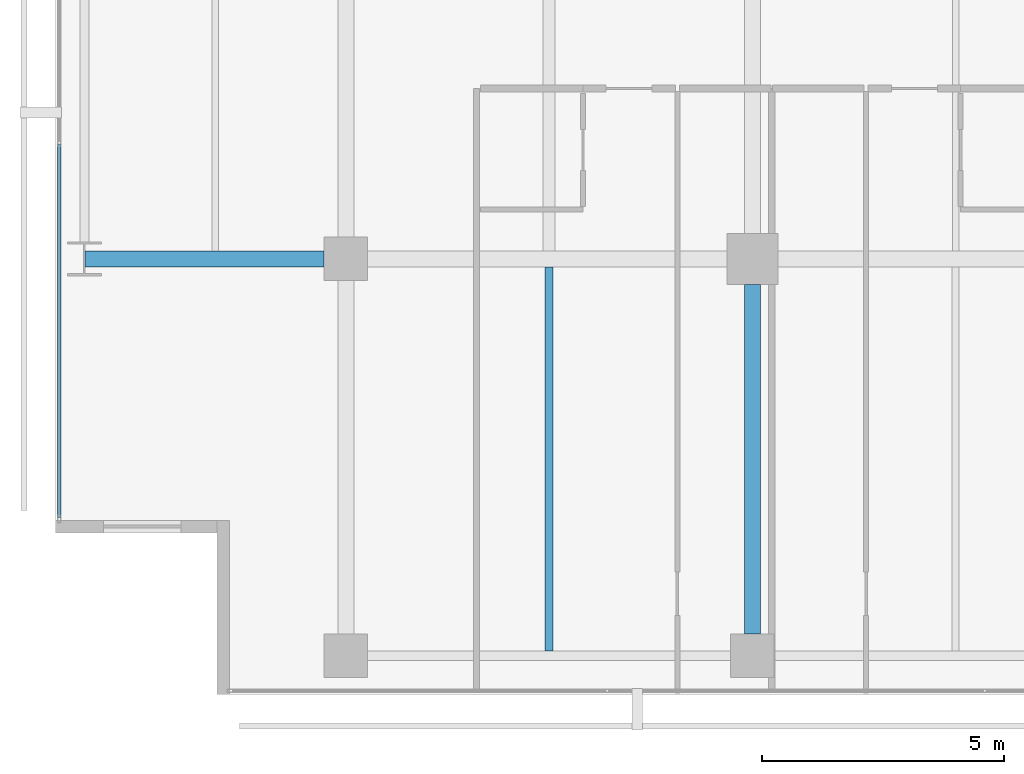
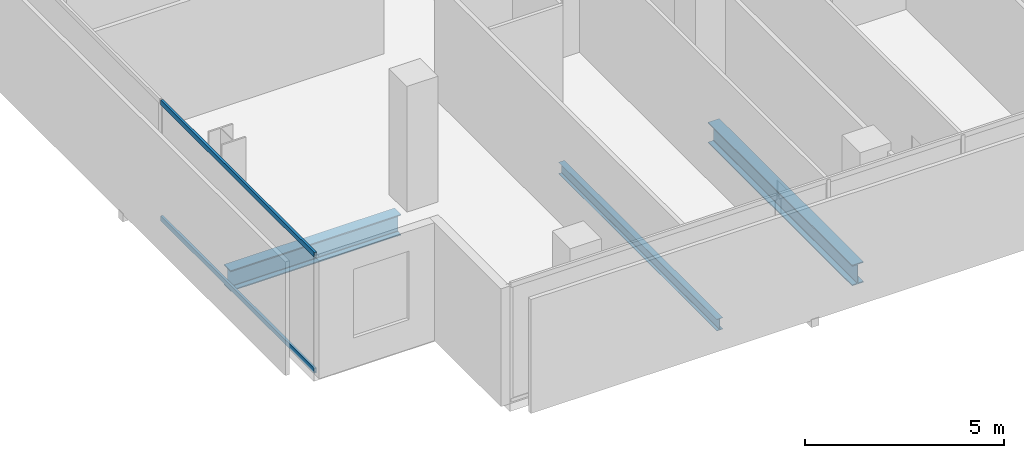
# One storey, part 4 of 40: 3 beams, 2 members, 1 element without a shape of its own.
"""IFC4 building model written with IfcOpenShell, lengths in metres."""

from ifc_helpers import new_model, si_unit, direction, frame, origin, origin_2d, place, context, subcontext, project, spatial, hollow_rectangle, i_section, extrude, material, layer, layer_set, material_profile, profile_set, type_object, element, aggregate, save


model = new_model("IFC4")

# Units and contexts
model_context = context("Model", 3, precision=1e-05, world=origin(), true_north=direction((0.0, 1.0)))
body_context = subcontext(model_context, "Body", "Model", "MODEL_VIEW")
ifc_project = project(units=[si_unit("LENGTHUNIT", "METRE"), si_unit("AREAUNIT", "SQUARE_METRE"), si_unit("VOLUMEUNIT", "CUBIC_METRE"), si_unit("PLANEANGLEUNIT", "RADIAN"), si_unit("MASSUNIT", "GRAM", prefix="KILO")], contexts=[model_context])

# Site, building, storey
site_placement = place(None, origin())
site = spatial("IfcSite", under=ifc_project, at=site_placement, CompositionType="ELEMENT")
building_placement = place(site_placement, origin())
building = spatial("IfcBuilding", under=site, at=building_placement, Name="Maruvema Waterfront Hotel and Observation Tower", CompositionType="ELEMENT")
storey_placement = place(building_placement, frame((0.0, 0.0, 34.64990234375)))
storey = spatial("IfcBuildingStorey", under=building, at=storey_placement, Name="L07", CompositionType="ELEMENT", Elevation=34.64990234375)

# Curtain wall, members
ifc_material_1 = material(Name="Anodised bronze aluminium and solar-control low-E IGU", Category="aluminium")
ifc_layer = layer(ifc_material_1, 0.159912109375, Name="Zone 1 Bronze Inner Thermal Curtain Wall System CW-02")
ifc_layer_set = layer_set([ifc_layer], Name="Anodised bronze aluminium and solar-control low-E IGU")
curtain_wall_type = type_object("IfcCurtainWallType", Name="Zone 1 Bronze Inner Thermal Curtain Wall System CW-02", PredefinedType="USERDEFINED", material=ifc_layer_set)
curtain_wall_placement = place(storey_placement, origin())
curtain_wall = element("IfcCurtainWall", 1, at=curtain_wall_placement, inside=storey, type_object=curtain_wall_type, Name="L07 Curtain Wall CW-L07-W", ObjectType="UNITISED CURTAIN WALL", PredefinedType="USERDEFINED")
ifc_material_2 = material(Name="Anodised architectural bronze aluminium", Category="aluminium")
ifc_material_profile_1 = material_profile(ifc_material_2, hollow_rectangle(XDim=0.070068359375, YDim=0.14990234375, WallThickness=0.00390625, at=origin_2d()), Name="ALU-T70x150")
ifc_profile_set_1 = profile_set([ifc_material_profile_1], Name="Anodised architectural bronze aluminium")
member_type = type_object("IfcMemberType", Name="Curtain Wall Horizontal Transom ALU-T70x150", PredefinedType="USERDEFINED", material=ifc_profile_set_1)
member_1_placement = place(storey_placement, frame((10.8798828125, 11.3701171875, 0.030029296875), z_axis=(0.0, -1.0, 0.0), x_axis=(1.0, 0.0, 0.0)))
member_1 = element("IfcMember", 2, at=member_1_placement, type_object=member_type, Name="CW-02 transom 6.1", ObjectType="TRANSOM", PredefinedType="USERDEFINED", context=body_context, shape_type="SweptSolid", body=[
    extrude(hollow_rectangle(XDim=0.070068359375, YDim=0.14990234375, WallThickness=0.00390625, at=origin_2d()), origin(), (0.0, 0.0, 1.0), 7.710205078125),
])
member_2_placement = place(storey_placement, frame((10.8798828125, 11.3701171875, 3.580078125), z_axis=(0.0, -1.0, 0.0), x_axis=(1.0, 0.0, 0.0)))
member_2 = element("IfcMember", 3, at=member_2_placement, type_object=member_type, Name="CW-02 transom 6.2", ObjectType="TRANSOM", PredefinedType="USERDEFINED", context=body_context, shape_type="SweptSolid", body=[
    extrude(hollow_rectangle(XDim=0.070068359375, YDim=0.14990234375, WallThickness=0.00390625, at=origin_2d()), origin(), (0.0, 0.0, 1.0), 7.710205078125),
])
aggregate(curtain_wall, [member_1, member_2])

# Beams
ifc_material_3 = material(Name="Steel ASTM A572 Grade 50", Category="steel")
ifc_material_profile_2 = material_profile(ifc_material_3, i_section(OverallWidth=0.3291015625, OverallDepth=0.635009765625, WebThickness=0.017822265625, FlangeThickness=0.031005859375, FilletRadius=0.01806640625, at=origin_2d()), Name="W610x241.0")
ifc_profile_set_2 = profile_set([ifc_material_profile_2], Name="Steel ASTM A572 Grade 50")
beam_type_1 = type_object("IfcBeamType", Name="Primary Floor Girder W610x241.0", PredefinedType="BEAM", material=ifc_profile_set_2)
beam_1_placement = place(storey_placement, frame((11.4140625, 9.0, -0.557373046875), z_axis=(1.0, 0.0, 0.0), x_axis=(0.0, 1.0, 0.0)))
element("IfcBeam", 4, at=beam_1_placement, inside=storey, type_object=beam_type_1, Name="L07 Floor Girder EW-06", PredefinedType="BEAM", context=body_context, shape_type="SweptSolid", body=[
    extrude(i_section(OverallWidth=0.3291015625, OverallDepth=0.635009765625, WebThickness=0.017822265625, FlangeThickness=0.031005859375, FilletRadius=0.01806640625, at=origin_2d()), origin(), (0.0, 0.0, 1.0), 4.93603515625),
])
beam_2_placement = place(storey_placement, frame((25.199951171875, 1.25, -0.557373046875), z_axis=(0.0, 1.0, 0.0), x_axis=(-1.0, 0.0, 0.0)))
element("IfcBeam", 5, at=beam_2_placement, inside=storey, type_object=beam_type_1, Name="L07 Floor Girder NS-11", PredefinedType="BEAM", context=body_context, shape_type="SweptSolid", body=[
    extrude(i_section(OverallWidth=0.3291015625, OverallDepth=0.635009765625, WebThickness=0.017822265625, FlangeThickness=0.031005859375, FilletRadius=0.01806640625, at=origin_2d()), origin(), (0.0, 0.0, 1.0), 7.22509765625),
])
ifc_material_4 = material(Name="Steel ASTM A572 Grade 50", Category="steel")
ifc_material_profile_3 = material_profile(ifc_material_4, i_section(OverallWidth=0.1708984375, OverallDepth=0.35498046875, WebThickness=0.007080078125, FlangeThickness=0.01171875, FilletRadius=0.014892578125, at=origin_2d()), Name="W360x51.0")
ifc_profile_set_3 = profile_set([ifc_material_profile_3], Name="Steel ASTM A572 Grade 50")
beam_type_2 = type_object("IfcBeamType", Name="Secondary Floor Joist W360x51.0", PredefinedType="JOIST", material=ifc_profile_set_3)
beam_3_placement = place(storey_placement, frame((21.0, 0.89501953125, -0.41748046875), z_axis=(0.0, 1.0, 0.0), x_axis=(-1.0, 0.0, 0.0)))
element("IfcBeam", 6, at=beam_3_placement, inside=storey, type_object=beam_type_2, Name="L07 Secondary Floor Joist JS-05", PredefinedType="JOIST", context=body_context, shape_type="SweptSolid", body=[
    extrude(i_section(OverallWidth=0.1708984375, OverallDepth=0.35498046875, WebThickness=0.007080078125, FlangeThickness=0.01171875, FilletRadius=0.014892578125, at=origin_2d()), origin(), (0.0, 0.0, 1.0), 7.9404296875),
])

save(model, "model.ifc")
